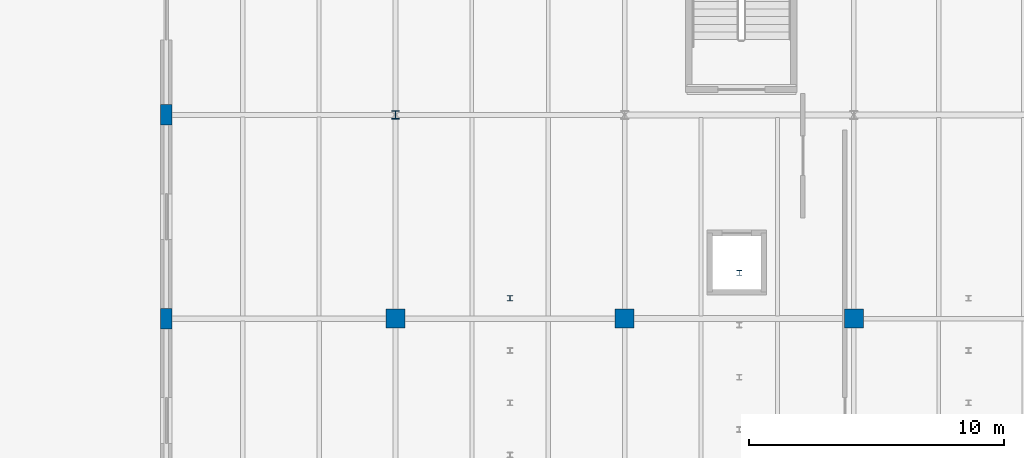
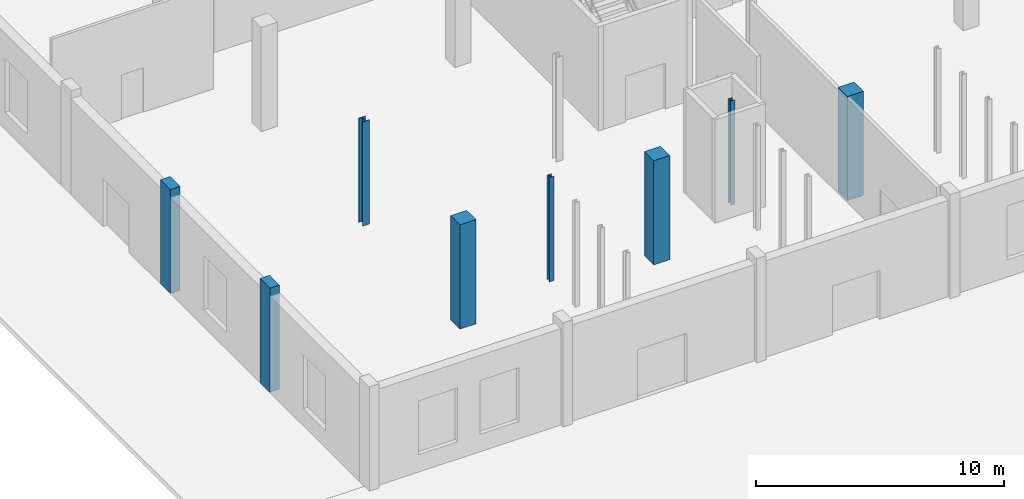
# One storey, part 3 of 103: 8 columns.
"""IFC4 building model written with IfcOpenShell, lengths in metres."""

from ifc_helpers import new_model, si_unit, direction, frame, origin, origin_2d, place, context, subcontext, project, spatial, rectangle, i_section, extrude, material, material_profile, profile_set, type_object, element, save


model = new_model("IFC4")

# Units and contexts
model_context = context("Model", 3, precision=1e-05, world=origin(), true_north=direction((0.0, 1.0)))
body_context = subcontext(model_context, "Body", "Model", "MODEL_VIEW")
ifc_project = project(units=[si_unit("LENGTHUNIT", "METRE"), si_unit("AREAUNIT", "SQUARE_METRE"), si_unit("VOLUMEUNIT", "CUBIC_METRE"), si_unit("PLANEANGLEUNIT", "RADIAN"), si_unit("MASSUNIT", "GRAM", prefix="KILO")], contexts=[model_context])

# Site, building, storey
site_placement = place(None, origin())
site = spatial("IfcSite", under=ifc_project, at=site_placement, CompositionType="ELEMENT")
building_placement = place(site_placement, origin())
building = spatial("IfcBuilding", under=site, at=building_placement, Name="Marnock Terrace Opera House", CompositionType="ELEMENT")
storey_placement = place(building_placement, origin())
storey = spatial("IfcBuildingStorey", under=building, at=storey_placement, Name="L00", CompositionType="ELEMENT", Elevation=0.0)

# Columns
ifc_material_1 = material(Name="Concrete N40 (f'c = 40 MPa)", Category="concrete")
ifc_material_profile_1 = material_profile(ifc_material_1, rectangle(XDim=0.449951171875, YDim=0.800048828125, at=origin_2d()))
ifc_profile_set_1 = profile_set([ifc_material_profile_1], Name="Concrete N40 (f'c = 40 MPa)")
column_type_1 = type_object("IfcColumnType", Name="COL-PIL-800", PredefinedType="PILASTER", material=ifc_profile_set_1)
for number, where, z_axis, x_axis, name in (
    (1, (0.0, 16.0, 0.0), (0.0, 0.0, 1.0), (1.0, 0.0, 0.0), "L00 column at (0.0, 16.0)"),
    (2, (0.0, 24.0, 0.0), (0.0, 0.0, 1.0), (1.0, 0.0, 0.0), "L00 column at (0.0, 24.0)"),
):
    element("IfcColumn", number, at=place(storey_placement, frame(where, z_axis=z_axis, x_axis=x_axis)), inside=storey, type_object=column_type_1, Name=name, PredefinedType="PILASTER", context=body_context, shape_type="SweptSolid", body=[
        extrude(rectangle(XDim=0.449951171875, YDim=0.800048828125, at=origin_2d()), origin(), (0.0, 0.0, 1.0), 5.1201171875),
    ])
ifc_material_2 = material(Name="Concrete N50 (f'c = 50 MPa)", Category="concrete")
ifc_material_profile_2 = material_profile(ifc_material_2, rectangle(XDim=0.75, YDim=0.75, at=origin_2d()))
ifc_profile_set_2 = profile_set([ifc_material_profile_2], Name="Concrete N50 (f'c = 50 MPa)")
column_type_2 = type_object("IfcColumnType", Name="COL-RC750", PredefinedType="COLUMN", material=ifc_profile_set_2)
for number, where, z_axis, x_axis, name in (
    (3, (9.0, 16.0, 0.0), (0.0, 0.0, 1.0), (1.0, 0.0, 0.0), "L00 column at (9.0, 16.0)"),
    (4, (18.0, 16.0, 0.0), (0.0, 0.0, 1.0), (1.0, 0.0, 0.0), "L00 column at (18.0, 16.0)"),
    (5, (27.0, 16.0, 0.0), (0.0, 0.0, 1.0), (1.0, 0.0, 0.0), "L00 column at (27.0, 16.0)"),
):
    element("IfcColumn", number, at=place(storey_placement, frame(where, z_axis=z_axis, x_axis=x_axis)), inside=storey, type_object=column_type_2, Name=name, PredefinedType="COLUMN", context=body_context, shape_type="SweptSolid", body=[
        extrude(rectangle(XDim=0.75, YDim=0.75, at=origin_2d()), origin(), (0.0, 0.0, 1.0), 5.1201171875),
    ])
ifc_material_3 = material(Name="Steel Grade 350 (AS/NZS 3679.1)", Category="steel")
ifc_material_profile_3 = material_profile(ifc_material_3, i_section(OverallWidth=0.205078125, OverallDepth=0.209716796875, WebThickness=0.00927734375, FlangeThickness=0.01416015625, FilletRadius=0.011474609375, at=origin_2d()))
ifc_profile_set_3 = profile_set([ifc_material_profile_3], Name="Steel Grade 350 (AS/NZS 3679.1)")
column_type_3 = type_object("IfcColumnType", Name="COL-UC200", PredefinedType="COLUMN", material=ifc_profile_set_3)
for number, where, z_axis, x_axis, name in (
    (6, (13.5, 16.800048828125, 0.0), (0.0, 0.0, 1.0), (1.0, 0.0, 0.0), "L00 Chamber tier 4 support column W"),
    (7, (22.5, 17.800048828125, 0.0), (0.0, 0.0, 1.0), (1.0, 0.0, 0.0), "L00 Chamber tier 4 support column M"),
):
    element("IfcColumn", number, at=place(storey_placement, frame(where, z_axis=z_axis, x_axis=x_axis)), inside=storey, type_object=column_type_3, Name=name, PredefinedType="COLUMN", context=body_context, shape_type="SweptSolid", body=[
        extrude(i_section(OverallWidth=0.205078125, OverallDepth=0.209716796875, WebThickness=0.00927734375, FlangeThickness=0.01416015625, FilletRadius=0.011474609375, at=origin_2d()), origin(), (0.0, 0.0, 1.0), 5.1201171875),
    ])
ifc_material_profile_4 = material_profile(ifc_material_3, i_section(OverallWidth=0.31103515625, OverallDepth=0.3271484375, WebThickness=0.015625, FlangeThickness=0.02490234375, FilletRadius=0.0166015625, at=origin_2d()))
ifc_profile_set_4 = profile_set([ifc_material_profile_4], Name="Steel Grade 350 (AS/NZS 3679.1)")
column_type_4 = type_object("IfcColumnType", Name="COL-UC310A", PredefinedType="COLUMN", material=ifc_profile_set_4)
column_placement = place(storey_placement, frame((9.0, 24.0, 0.0), z_axis=(0.0, 0.0, 1.0), x_axis=(1.0, 0.0, 0.0)))
element("IfcColumn", 8, at=column_placement, inside=storey, type_object=column_type_4, Name="L00 column at (9.0, 24.0)", PredefinedType="COLUMN", context=body_context, shape_type="SweptSolid", body=[
    extrude(i_section(OverallWidth=0.31103515625, OverallDepth=0.3271484375, WebThickness=0.015625, FlangeThickness=0.02490234375, FilletRadius=0.0166015625, at=origin_2d()), origin(), (0.0, 0.0, 1.0), 5.1201171875),
])

save(model, "model.ifc")
